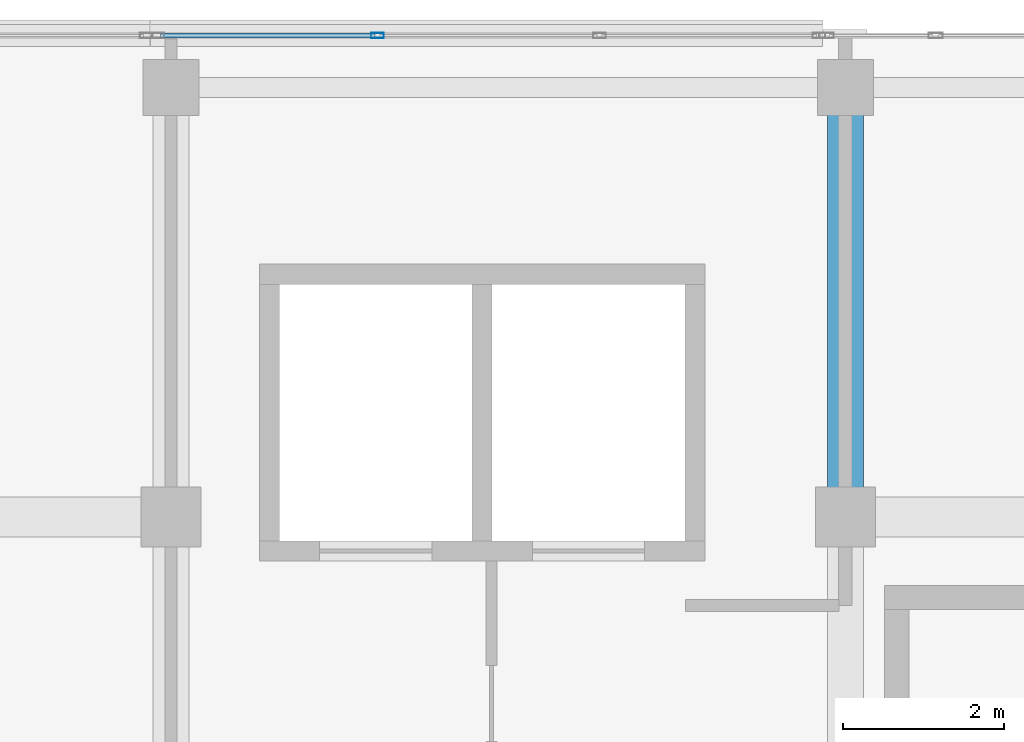
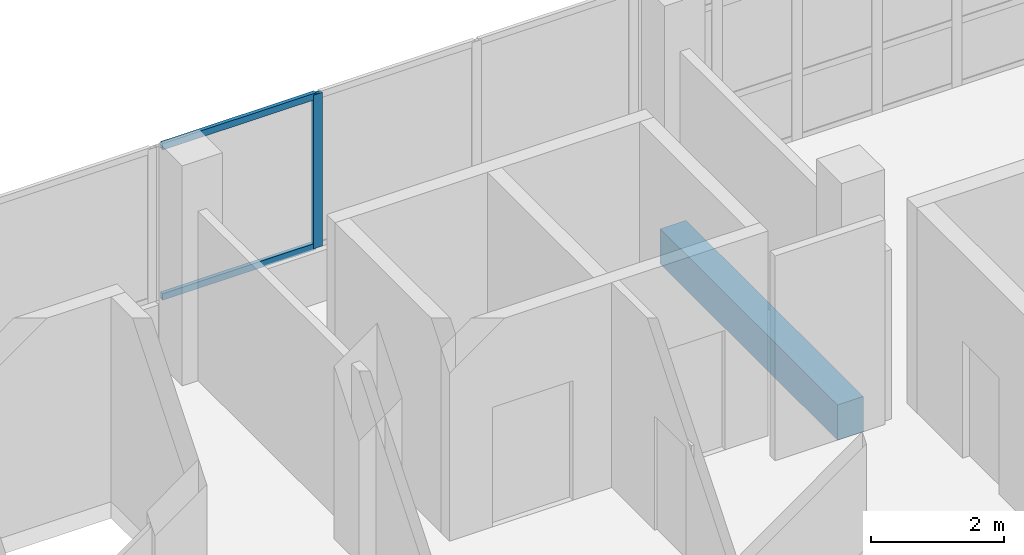
# One storey, part 51 of 101: 3 members, 1 beam, 1 element without a shape of its own.
"""IFC4 building model written with IfcOpenShell, lengths in metres."""

from ifc_helpers import new_model, si_unit, direction, frame, origin, origin_2d, place, context, subcontext, project, spatial, rectangle, hollow_rectangle, extrude, material, material_profile, profile_set, type_object, element, aggregate, save


model = new_model("IFC4")

# Units and contexts
model_context = context("Model", 3, precision=1e-05, world=origin(), true_north=direction((0.0, 1.0)))
body_context = subcontext(model_context, "Body", "Model", "MODEL_VIEW")
ifc_project = project(units=[si_unit("LENGTHUNIT", "METRE"), si_unit("AREAUNIT", "SQUARE_METRE"), si_unit("VOLUMEUNIT", "CUBIC_METRE"), si_unit("PLANEANGLEUNIT", "RADIAN"), si_unit("MASSUNIT", "GRAM", prefix="KILO")], contexts=[model_context])

# Site, building, storey
site_placement = place(None, origin())
site = spatial("IfcSite", under=ifc_project, at=site_placement, CompositionType="ELEMENT")
building_placement = place(site_placement, origin())
building = spatial("IfcBuilding", under=site, at=building_placement, Name="Selatvlak General Hospital", CompositionType="ELEMENT")
storey_placement = place(building_placement, frame((0.0, 0.0, 19.199951171875)))
storey = spatial("IfcBuildingStorey", under=building, at=storey_placement, Name="L04", CompositionType="ELEMENT", Elevation=19.199951171875)

# Beam
ifc_material_1 = material(Name="Concrete C40/50", Category="concrete")
ifc_material_profile_1 = material_profile(ifc_material_1, rectangle(XDim=0.449951171875, YDim=0.64990234375, at=origin_2d()), Name="RC-BM 450x650")
ifc_profile_set_1 = profile_set([ifc_material_profile_1], Name="Concrete C40/50")
beam_type = type_object("IfcBeamType", Name="BM-G04", PredefinedType="BEAM", material=ifc_profile_set_1)
beam_placement = place(storey_placement, frame((132.0, 114.0, -0.6298828125), z_axis=(0.0, 1.0, 0.0), x_axis=(-1.0, 0.0, 0.0)))
element("IfcBeam", 1, at=beam_placement, inside=storey, type_object=beam_type, Name="Beam BMR-L04-1722", PredefinedType="BEAM", context=body_context, shape_type="SweptSolid", body=[
    extrude(rectangle(XDim=0.449951171875, YDim=0.64990234375, at=origin_2d()), origin(), (0.0, 0.0, 1.0), 5.35009765625),
])

# Curtain wall, members
ifc_material_2 = material(Name="Solar-control Low-E double glazing", Category="glass")
curtain_wall_type = type_object("IfcCurtainWallType", Name="CW-CW-01", PredefinedType="USERDEFINED", material=ifc_material_2)
curtain_wall_placement = place(storey_placement, origin())
curtain_wall = element("IfcCurtainWall", 2, at=curtain_wall_placement, inside=storey, type_object=curtain_wall_type, Name="Glazed facade curtain wall CW-L04-0493", ObjectType="UNITISED CURTAIN WALL", PredefinedType="USERDEFINED")
ifc_material_3 = material(Name="Dark anodised aluminium mullion", Category="aluminium")
ifc_material_profile_2 = material_profile(ifc_material_3, hollow_rectangle(XDim=0.06494140625, YDim=0.159912109375, WallThickness=0.00390625, at=origin_2d()), Name="AL-MUL 65x160x4")
ifc_profile_set_2 = profile_set([ifc_material_profile_2], Name="Dark anodised aluminium mullion")
member_type_1 = type_object("IfcMemberType", Name="CWM-01", PredefinedType="MULLION", material=ifc_profile_set_2)
member_1_placement = place(storey_placement, frame((126.170654296875, 120.0, 0.93994140625), z_axis=(0.0, 0.0, 1.0), x_axis=(0.0, 1.0, 0.0)))
member_1 = element("IfcMember", 3, at=member_1_placement, type_object=member_type_1, Name="CW-01 mullion 2", PredefinedType="MULLION", context=body_context, shape_type="SweptSolid", body=[
    extrude(hollow_rectangle(XDim=0.06494140625, YDim=0.159912109375, WallThickness=0.00390625, at=origin_2d()), origin(), (0.0, 0.0, 1.0), 2.830078125),
])
ifc_material_profile_3 = material_profile(ifc_material_3, hollow_rectangle(XDim=0.06494140625, YDim=0.1201171875, WallThickness=0.00390625, at=origin_2d()), Name="AL-TRN 65x120x4")
ifc_profile_set_3 = profile_set([ifc_material_profile_3], Name="Dark anodised aluminium mullion")
member_type_2 = type_object("IfcMemberType", Name="CWT-01", PredefinedType="USERDEFINED", material=ifc_profile_set_3)
member_2_placement = place(storey_placement, frame((123.468994140625, 120.0, 0.97265625), z_axis=(1.0, 0.0, 0.0), x_axis=(0.0, 1.0, 0.0)))
member_2 = element("IfcMember", 4, at=member_2_placement, type_object=member_type_2, Name="CW-01 transom 1.1", ObjectType="TRANSOM", PredefinedType="USERDEFINED", context=body_context, shape_type="SweptSolid", body=[
    extrude(hollow_rectangle(XDim=0.06494140625, YDim=0.1201171875, WallThickness=0.00390625, at=origin_2d()), origin(), (0.0, 0.0, 1.0), 2.669189453125),
])
member_3_placement = place(storey_placement, frame((123.468994140625, 120.0, 3.737548828125), z_axis=(1.0, 0.0, 0.0), x_axis=(0.0, 1.0, 0.0)))
member_3 = element("IfcMember", 5, at=member_3_placement, type_object=member_type_2, Name="CW-01 transom 1.2", ObjectType="TRANSOM", PredefinedType="USERDEFINED", context=body_context, shape_type="SweptSolid", body=[
    extrude(hollow_rectangle(XDim=0.06494140625, YDim=0.1201171875, WallThickness=0.00390625, at=origin_2d()), origin(), (0.0, 0.0, 1.0), 2.669189453125),
])
aggregate(curtain_wall, [member_1, member_2, member_3])

save(model, "model.ifc")
